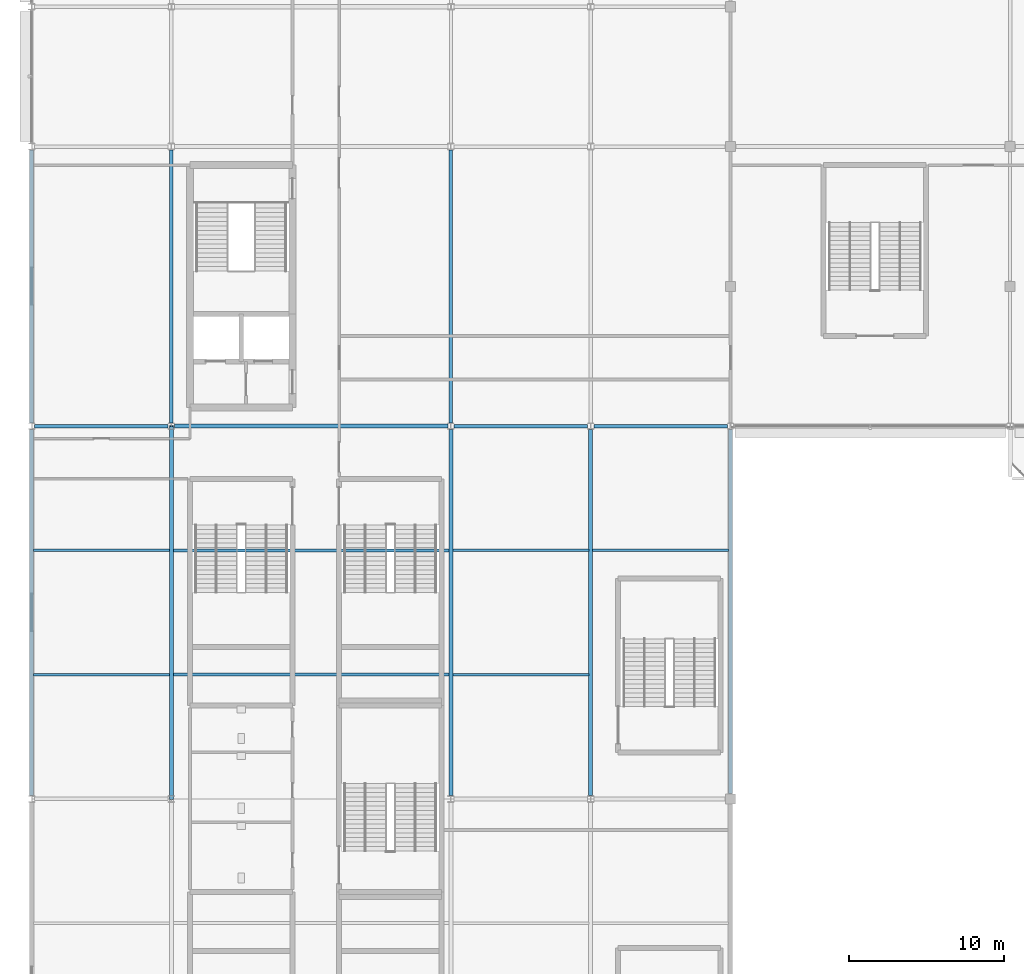
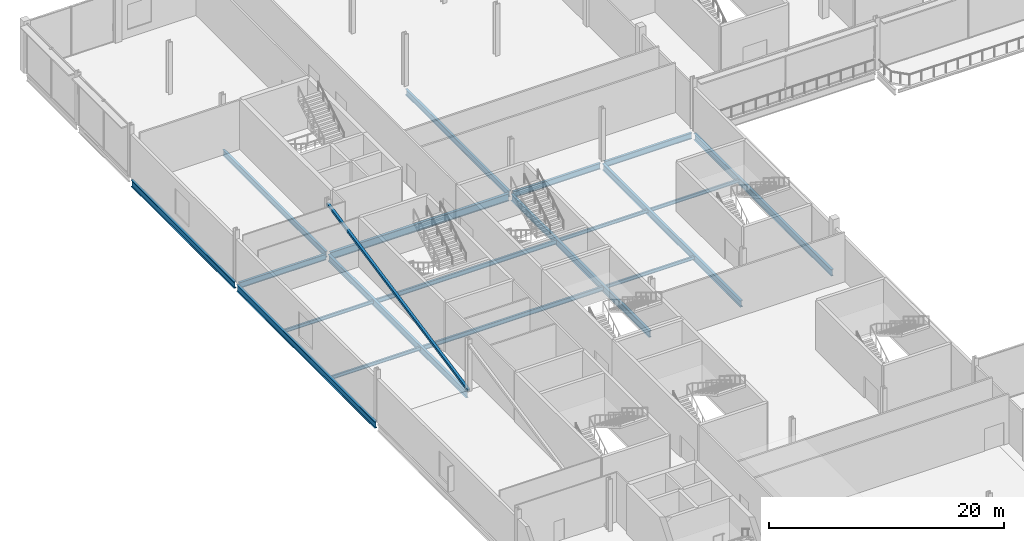
# One storey, part 28 of 113: 19 beams, 1 member.
"""IFC4 building model written with IfcOpenShell, lengths in metres."""

import ifcopenshell
import ifcopenshell.guid

model = None  # the IFC model being written
_history = None  # IfcOwnerHistory: only IFC2X3 demands one
_inside = {}  # id of a spatial element -> (the spatial element, [elements in it])
_under = {}  # id of a project, library or spatial element -> (it, [spatial elements below it])
_declared = {}  # id of a project -> (the project, [libraries it declares])
_typed = {}  # id of a type object -> (the type object, [elements of that type])
_made_of = {}  # id of a material, layer set ... -> (it, [elements and type objects made of it])


def new_model(schema):
    """Start an empty IFC model of exactly this schema.

    Asked for "IFC4X3", IfcOpenShell would pick the latest addendum, in which some entities
    have other attributes; the version numbers below select the first issue.
    IFC2X3 requires an IfcOwnerHistory on every rooted entity: one is made here for all.
    """
    global model, _history
    if schema == "IFC4X3":
        model = ifcopenshell.file(schema_version=(4, 3, 0, 0))
    else:
        model = ifcopenshell.file(schema=schema)
    _inside.clear()
    _under.clear()
    _declared.clear()
    _typed.clear()
    _made_of.clear()
    _history = None
    if model.schema == "IFC2X3":
        org = make("IfcOrganization", Name="unknown")
        user = make(
            "IfcPersonAndOrganization",
            ThePerson=make("IfcPerson", FamilyName="unknown"),
            TheOrganization=org,
        )
        app = make(
            "IfcApplication",
            ApplicationDeveloper=org,
            Version="unknown",
            ApplicationFullName="unknown",
            ApplicationIdentifier="unknown",
        )
        _history = make(
            "IfcOwnerHistory",
            OwningUser=user,
            OwningApplication=app,
            ChangeAction="ADDED",
            CreationDate=0,
        )
    return model


def make(cls, **values):
    """One entity of the class cls with the attributes given. An attribute that is None is left unset."""
    return model.create_entity(
        cls, **{name: value for name, value in values.items() if value is not None}
    )


def rooted(cls, **values):
    """An entity with a GlobalId (a new one), such as an element, a storey or a relation."""
    return make(cls, GlobalId=ifcopenshell.guid.new(), OwnerHistory=_history, **values)


def si_unit(unit_type, name, prefix=None):
    """IfcSIUnit, for example si_unit("LENGTHUNIT", "METRE", prefix="MILLI")."""
    return make("IfcSIUnit", UnitType=unit_type, Prefix=prefix, Name=name)


def assignment(units):
    """IfcUnitAssignment: the units of a project."""
    return None if units is None else make("IfcUnitAssignment", Units=units)


def point(xyz):
    """IfcCartesianPoint."""
    return None if xyz is None else make("IfcCartesianPoint", Coordinates=xyz)


def direction(xyz):
    """IfcDirection."""
    return None if xyz is None else make("IfcDirection", DirectionRatios=xyz)


def frame(location, z_axis=None, x_axis=None):
    """IfcAxis2Placement3D, a coordinate frame: its origin and axes. An axis left out is left unset."""
    return make(
        "IfcAxis2Placement3D",
        Location=point(location),
        Axis=direction(z_axis),
        RefDirection=direction(x_axis),
    )


def frame_2d(location, x_axis=None):
    """IfcAxis2Placement2D, a coordinate frame in the plane: its origin and x axis."""
    return make(
        "IfcAxis2Placement2D", Location=point(location), RefDirection=direction(x_axis)
    )


def origin():
    """The frame at (0, 0, 0) with its axes left unset."""
    return frame((0.0, 0.0, 0.0))


def origin_2d():
    """The frame at (0, 0) in the plane with its x axis left unset."""
    return frame_2d((0.0, 0.0))


def place(relative_to, where):
    """IfcLocalPlacement: puts the frame where relative to a parent placement (None: the world)."""
    return make(
        "IfcLocalPlacement", PlacementRelTo=relative_to, RelativePlacement=where
    )


def context(
    kind, dimensions, precision=None, world=None, true_north=None, identifier=None
):
    """IfcGeometricRepresentationContext, for example the 3D "Model" context."""
    return make(
        "IfcGeometricRepresentationContext",
        ContextIdentifier=identifier,
        ContextType=kind,
        CoordinateSpaceDimension=dimensions,
        Precision=precision,
        WorldCoordinateSystem=world,
        TrueNorth=true_north,
    )


def subcontext(parent, identifier, kind, view, scale=None):
    """IfcGeometricRepresentationSubContext, for example "Body" below "Model"."""
    return make(
        "IfcGeometricRepresentationSubContext",
        ContextIdentifier=identifier,
        ContextType=kind,
        ParentContext=parent,
        TargetScale=scale,
        TargetView=view,
    )


def project(units=None, contexts=None):
    """IfcProject with its units and contexts."""
    return rooted(
        "IfcProject",
        Name="project",
        RepresentationContexts=contexts,
        UnitsInContext=assignment(units),
    )


def spatial(cls, under=None, at=None, **own):
    """A site, building, storey or space (cls), placed at a placement, below another one or the project."""
    s = rooted(cls, ObjectPlacement=at, **own)
    if under is not None:
        _under.setdefault(under.id(), (under, []))[1].append(s)
    return s


def profile(cls, at=None, kind="AREA", **sizes):
    """A parametric profile (cls). Its sizes go by their IFC names, for example OverallWidth=200.0."""
    return make(cls, ProfileType=kind, Position=at, **sizes)


def hollow_rectangle(**sizes):
    """IfcRectangleHollowProfileDef."""
    return profile("IfcRectangleHollowProfileDef", **sizes)


def i_section(**sizes):
    """IfcIShapeProfileDef."""
    return profile("IfcIShapeProfileDef", **sizes)


def extrude(swept, where, along, depth):
    """IfcExtrudedAreaSolid: the profile swept, set in the frame where, extruded along a direction by depth."""
    return make(
        "IfcExtrudedAreaSolid",
        SweptArea=swept,
        Position=where,
        ExtrudedDirection=direction(along),
        Depth=depth,
    )


def shape(context_of_items, identifier, shape_type, items):
    """IfcShapeRepresentation: the items that make up one representation, for example the "Body"."""
    return make(
        "IfcShapeRepresentation",
        ContextOfItems=context_of_items,
        RepresentationIdentifier=identifier,
        RepresentationType=shape_type,
        Items=items,
    )


def material(Name=None, Category=None):
    """IfcMaterial."""
    return make("IfcMaterial", Name=Name, Category=Category)


def material_profile(
    of_material, cross_section, Name=None, Category=None, Priority=None
):
    """IfcMaterialProfile: a cross section and its material."""
    return make(
        "IfcMaterialProfile",
        Name=Name,
        Material=of_material,
        Profile=cross_section,
        Priority=Priority,
        Category=Category,
    )


def profile_set(profiles, Name=None, composite=None):
    """IfcMaterialProfileSet."""
    return make(
        "IfcMaterialProfileSet",
        Name=Name,
        MaterialProfiles=profiles,
        CompositeProfile=composite,
    )


def made_of(thing, what):
    """Note that an element or type object is made of a material, layer set ...; save() writes the relation."""
    if what is not None:
        _made_of.setdefault(what.id(), (what, []))[1].append(thing)
    return thing


def type_object(cls, material=None, **own):
    """A type object (cls), such as IfcWallType, which elements share."""
    return made_of(rooted(cls, **own), material)


def element(
    cls,
    number,
    at=None,
    inside=None,
    cuts=None,
    type_object=None,
    material=None,
    context=None,
    identifier="Body",
    shape_type=None,
    held_by="IfcProductDefinitionShape",
    body=None,
    shapes=None,
    **own,
):
    """One element of the class cls, such as IfcWall. Its Tag is "e" and its number.

    at: its placement. inside: the storey or other place that contains it. cuts: it is an
    opening in that element (IfcRelVoidsElement). A single representation is given by context,
    identifier, shape_type and body (its items); several are given by shapes. held_by: the class
    of the entity that holds the representations. save() writes the other relations.
    """
    e = rooted(cls, Tag="e%d" % number, ObjectPlacement=at, **own)
    if body is not None:
        shapes = [shape(context, identifier, shape_type, body)]
    if shapes is not None:
        e.Representation = make(held_by, Representations=shapes)
    if inside is not None:
        _inside.setdefault(inside.id(), (inside, []))[1].append(e)
    if cuts is not None:
        rooted(
            "IfcRelVoidsElement", RelatingBuildingElement=cuts, RelatedOpeningElement=e
        )
    if type_object is not None:
        _typed.setdefault(type_object.id(), (type_object, []))[1].append(e)
    return made_of(e, material)


def aggregate(whole, parts):
    """IfcRelAggregates: a whole, such as a stair, and the parts it consists of."""
    return rooted("IfcRelAggregates", RelatingObject=whole, RelatedObjects=parts)


def save(model, path):
    """Write the relations noted so far, then the file.

    IfcRelAggregates (storeys below a building ...), IfcRelContainedInSpatialStructure (elements
    in a storey), IfcRelDefinesByType, IfcRelAssociatesMaterial and IfcRelDeclares: one each for
    every whole, place, type object, material and project.
    """
    for whole, parts in _under.values():
        aggregate(whole, parts)
    for where, things in _inside.values():
        rooted(
            "IfcRelContainedInSpatialStructure",
            RelatedElements=things,
            RelatingStructure=where,
        )
    for kind, things in _typed.values():
        rooted("IfcRelDefinesByType", RelatedObjects=things, RelatingType=kind)
    for what, things in _made_of.values():
        rooted("IfcRelAssociatesMaterial", RelatedObjects=things, RelatingMaterial=what)
    for by, libraries in _declared.values():
        rooted("IfcRelDeclares", RelatingContext=by, RelatedDefinitions=libraries)
    model.write(path)


model = new_model("IFC4")

# Units and contexts
model_context = context("Model", 3, precision=1e-05, world=origin(), true_north=direction((0.0, 1.0)))
body_context = subcontext(model_context, "Body", "Model", "MODEL_VIEW")
ifc_project = project(units=[si_unit("LENGTHUNIT", "METRE"), si_unit("AREAUNIT", "SQUARE_METRE"), si_unit("VOLUMEUNIT", "CUBIC_METRE"), si_unit("PLANEANGLEUNIT", "RADIAN"), si_unit("MASSUNIT", "GRAM", prefix="KILO")], contexts=[model_context])

# Site, building, storey
site_placement = place(None, origin())
site = spatial("IfcSite", under=ifc_project, at=site_placement, CompositionType="ELEMENT")
building_placement = place(site_placement, origin())
building = spatial("IfcBuilding", under=site, at=building_placement, Name="Kisiwana Market Hall", CompositionType="ELEMENT")
storey_placement = place(building_placement, frame((0.0, 0.0, 6.0)))
storey = spatial("IfcBuildingStorey", under=building, at=storey_placement, Name="L01", CompositionType="ELEMENT", Elevation=6.0)

# Beams
ifc_material_1 = material(Name="Steel S355", Category="steel")
ifc_material_profile_1 = material_profile(ifc_material_1, i_section(OverallWidth=0.22900390625, OverallDepth=0.6123046875, WebThickness=0.011962890625, FlangeThickness=0.01953125, at=origin_2d()), Name="UB 610x229x125")
ifc_profile_set_1 = profile_set([ifc_material_profile_1], Name="Steel S355")
beam_type_1 = type_object("IfcBeamType", Name="BM-GIRD-UB610H", PredefinedType="BEAM", material=ifc_profile_set_1)
for number, where, z_axis, x_axis, name in (
    (1, (0.201904296875, 84.0, -0.55615234375), (1.0, 0.0, 0.0), (0.0, 1.0, 0.0), "Floor beam B-0503"),
    (2, (27.201904296875, 84.0, -0.55615234375), (1.0, 0.0, 0.0), (0.0, 1.0, 0.0), "Floor beam B-0505"),
    (3, (36.201904296875, 84.0, -0.55615234375), (1.0, 0.0, 0.0), (0.0, 1.0, 0.0), "Floor beam B-0506"),
):
    element("IfcBeam", number, at=place(storey_placement, frame(where, z_axis=z_axis, x_axis=x_axis)), inside=storey, type_object=beam_type_1, Name=name, PredefinedType="BEAM", context=body_context, shape_type="SweptSolid", body=[
        extrude(i_section(OverallWidth=0.22900390625, OverallDepth=0.6123046875, WebThickness=0.011962890625, FlangeThickness=0.01953125, at=origin_2d()), origin(), (0.0, 0.0, 1.0), 8.59619140625),
    ])
for number, where, z_axis, x_axis, name in (
    (4, (9.0, 84.21337890625, -0.55615234375), (0.0, 1.0, 0.0), (-1.0, 0.0, 0.0), "Primary girder B-0336"),
    (5, (27.0, 84.21337890625, -0.55615234375), (0.0, 1.0, 0.0), (-1.0, 0.0, 0.0), "Primary girder B-0342"),
):
    element("IfcBeam", number, at=place(storey_placement, frame(where, z_axis=z_axis, x_axis=x_axis)), inside=storey, type_object=beam_type_1, Name=name, PredefinedType="BEAM", context=body_context, shape_type="SweptSolid", body=[
        extrude(i_section(OverallWidth=0.22900390625, OverallDepth=0.6123046875, WebThickness=0.011962890625, FlangeThickness=0.01953125, at=origin_2d()), origin(), (0.0, 0.0, 1.0), 17.5732421875),
    ])
ifc_material_2 = material(Name="Steel S355", Category="steel")
ifc_material_profile_2 = material_profile(ifc_material_2, i_section(OverallWidth=0.253662109375, OverallDepth=0.68359375, WebThickness=0.012451171875, FlangeThickness=0.01904296875, at=origin_2d()), Name="UB 686x254x140")
ifc_profile_set_2 = profile_set([ifc_material_profile_2], Name="Steel S355")
beam_type_2 = type_object("IfcBeamType", Name="BM-GIRD-UB686", PredefinedType="BEAM", material=ifc_profile_set_2)
beam_1_placement = place(storey_placement, frame((0.0, 60.21337890625, -0.591796875), z_axis=(0.0, 1.0, 0.0), x_axis=(-1.0, 0.0, 0.0)))
element("IfcBeam", 6, at=beam_1_placement, inside=storey, type_object=beam_type_2, Name="Floor beam B-0559", PredefinedType="BEAM", context=body_context, shape_type="SweptSolid", body=[
    extrude(i_section(OverallWidth=0.253662109375, OverallDepth=0.68359375, WebThickness=0.012451171875, FlangeThickness=0.01904296875, at=origin_2d()), origin(), (0.0, 0.0, 1.0), 23.5732421875),
])
beam_2_placement = place(storey_placement, frame((0.0, 84.21337890625, -0.591796875), z_axis=(0.0, 1.0, 0.0), x_axis=(-1.0, 0.0, 0.0)))
element("IfcBeam", 7, at=beam_2_placement, inside=storey, type_object=beam_type_2, Name="Floor beam B-0560", PredefinedType="BEAM", context=body_context, shape_type="SweptSolid", body=[
    extrude(i_section(OverallWidth=0.253662109375, OverallDepth=0.68359375, WebThickness=0.012451171875, FlangeThickness=0.01904296875, at=origin_2d()), origin(), (0.0, 0.0, 1.0), 17.5732421875),
])
beam_3_placement = place(storey_placement, frame((27.0, 60.21337890625, -0.591796875), z_axis=(0.0, 1.0, 0.0), x_axis=(-1.0, 0.0, 0.0)))
element("IfcBeam", 8, at=beam_3_placement, inside=storey, type_object=beam_type_2, Name="Floor beam B-0564", PredefinedType="BEAM", context=body_context, shape_type="SweptSolid", body=[
    extrude(i_section(OverallWidth=0.253662109375, OverallDepth=0.68359375, WebThickness=0.012451171875, FlangeThickness=0.01904296875, at=origin_2d()), origin(), (0.0, 0.0, 1.0), 23.5732421875),
])
beam_4_placement = place(storey_placement, frame((45.0, 60.345947265625, -0.591796875), z_axis=(0.0, 1.0, 0.0), x_axis=(-1.0, 0.0, 0.0)))
element("IfcBeam", 9, at=beam_4_placement, inside=storey, type_object=beam_type_2, Name="Floor beam B-0566", PredefinedType="BEAM", context=body_context, shape_type="SweptSolid", body=[
    extrude(i_section(OverallWidth=0.253662109375, OverallDepth=0.68359375, WebThickness=0.012451171875, FlangeThickness=0.01904296875, at=origin_2d()), origin(), (0.0, 0.0, 1.0), 23.440673828125),
])
for number, where, z_axis, x_axis, name in (
    (10, (9.0, 60.21337890625, -0.591796875), (0.0, 1.0, 0.0), (-1.0, 0.0, 0.0), "Primary girder B-0335"),
    (11, (36.0, 60.21337890625, -0.591796875), (0.0, 1.0, 0.0), (-1.0, 0.0, 0.0), "Primary girder B-0349"),
):
    element("IfcBeam", number, at=place(storey_placement, frame(where, z_axis=z_axis, x_axis=x_axis)), inside=storey, type_object=beam_type_2, Name=name, PredefinedType="BEAM", context=body_context, shape_type="SweptSolid", body=[
        extrude(i_section(OverallWidth=0.253662109375, OverallDepth=0.68359375, WebThickness=0.012451171875, FlangeThickness=0.01904296875, at=origin_2d()), origin(), (0.0, 0.0, 1.0), 23.5732421875),
    ])
ifc_material_3 = material(Name="Steel S355", Category="steel")
ifc_material_profile_3 = material_profile(ifc_material_3, i_section(OverallWidth=0.2666015625, OverallDepth=0.76220703125, WebThickness=0.014404296875, FlangeThickness=0.021484375, at=origin_2d()), Name="UB 762x267x173")
ifc_profile_set_3 = profile_set([ifc_material_profile_3], Name="Steel S355")
beam_type_3 = type_object("IfcBeamType", Name="BM-GIRD-UB762", PredefinedType="BEAM", material=ifc_profile_set_3)
beam_5_placement = place(storey_placement, frame((9.201904296875, 84.0, -0.631103515625), z_axis=(1.0, 0.0, 0.0), x_axis=(0.0, 1.0, 0.0)))
element("IfcBeam", 12, at=beam_5_placement, inside=storey, type_object=beam_type_3, Name="Floor beam B-0504", PredefinedType="BEAM", context=body_context, shape_type="SweptSolid", body=[
    extrude(i_section(OverallWidth=0.2666015625, OverallDepth=0.76220703125, WebThickness=0.014404296875, FlangeThickness=0.021484375, at=origin_2d()), origin(), (0.0, 0.0, 1.0), 17.59619140625),
])
ifc_material_4 = material(Name="Steel S355", Category="steel")
ifc_material_profile_4 = material_profile(ifc_material_4, i_section(OverallWidth=0.17138671875, OverallDepth=0.35498046875, WebThickness=0.00732421875, FlangeThickness=0.011474609375, at=origin_2d()), Name="UB 356x171x51")
ifc_profile_set_4 = profile_set([ifc_material_profile_4], Name="Steel S355")
beam_type_4 = type_object("IfcBeamType", Name="BM-JOIST-UB356", PredefinedType="JOIST", material=ifc_profile_set_4)
for number, where, z_axis, x_axis, name in (
    (13, (0.125732421875, 68.0, -0.427490234375), (1.0, 0.0, 0.0), (0.0, 1.0, 0.0), "Secondary floor joist B-0435"),
    (14, (27.125732421875, 68.0, -0.427490234375), (1.0, 0.0, 0.0), (0.0, 1.0, 0.0), "Secondary floor joist B-0437"),
    (15, (0.125732421875, 76.0, -0.427490234375), (1.0, 0.0, 0.0), (0.0, 1.0, 0.0), "Secondary floor joist B-0441"),
    (16, (27.125732421875, 76.0, -0.427490234375), (1.0, 0.0, 0.0), (0.0, 1.0, 0.0), "Secondary floor joist B-0443"),
    (17, (36.125732421875, 76.0, -0.427490234375), (1.0, 0.0, 0.0), (0.0, 1.0, 0.0), "Secondary floor joist B-0444"),
):
    element("IfcBeam", number, at=place(storey_placement, frame(where, z_axis=z_axis, x_axis=x_axis)), inside=storey, type_object=beam_type_4, Name=name, PredefinedType="JOIST", context=body_context, shape_type="SweptSolid", body=[
        extrude(i_section(OverallWidth=0.17138671875, OverallDepth=0.35498046875, WebThickness=0.00732421875, FlangeThickness=0.011474609375, at=origin_2d()), origin(), (0.0, 0.0, 1.0), 8.74853515625),
    ])
ifc_material_5 = material(Name="Steel S355", Category="steel")
ifc_material_profile_5 = material_profile(ifc_material_5, i_section(OverallWidth=0.18994140625, OverallDepth=0.453369140625, WebThickness=0.008544921875, FlangeThickness=0.0126953125, at=origin_2d()), Name="UB 457x191x67")
ifc_profile_set_5 = profile_set([ifc_material_profile_5], Name="Steel S355")
beam_type_5 = type_object("IfcBeamType", Name="BM-JOIST-UB457", PredefinedType="JOIST", material=ifc_profile_set_5)
for number, where, z_axis, x_axis, name in (
    (18, (9.125732421875, 68.0, -0.476806640625), (1.0, 0.0, 0.0), (0.0, 1.0, 0.0), "Secondary floor joist B-0436"),
    (19, (9.125732421875, 76.0, -0.476806640625), (1.0, 0.0, 0.0), (0.0, 1.0, 0.0), "Secondary floor joist B-0442"),
):
    element("IfcBeam", number, at=place(storey_placement, frame(where, z_axis=z_axis, x_axis=x_axis)), inside=storey, type_object=beam_type_5, Name=name, PredefinedType="JOIST", context=body_context, shape_type="SweptSolid", body=[
        extrude(i_section(OverallWidth=0.18994140625, OverallDepth=0.453369140625, WebThickness=0.008544921875, FlangeThickness=0.0126953125, at=origin_2d()), origin(), (0.0, 0.0, 1.0), 17.74853515625),
    ])

# Member
ifc_material_6 = material(Name="Steel S355", Category="steel")
ifc_material_profile_6 = material_profile(ifc_material_6, hollow_rectangle(XDim=0.25, YDim=0.25, WallThickness=0.012451171875, at=origin_2d()), Name="SHS 250x250x12.5")
ifc_profile_set_6 = profile_set([ifc_material_profile_6], Name="Steel S355")
member_type = type_object("IfcMemberType", Name="MB-CBF-SHS250", PredefinedType="BRACE", material=ifc_profile_set_6)
member_placement = place(storey_placement, frame((9.0, 60.0, 0.0), z_axis=(0.0, 0.980185232723, 0.198083087497), x_axis=(-1.0, 0.0, 0.0)))
element("IfcMember", 20, at=member_placement, inside=storey, type_object=member_type, Name="CBF-W-S diagonal brace (L01) M-0013", PredefinedType="BRACE", context=body_context, shape_type="SweptSolid", body=[
    extrude(hollow_rectangle(XDim=0.25, YDim=0.25, WallThickness=0.012451171875, at=origin_2d()), origin(), (0.0, 0.0, 1.0), 24.485107421875),
])

save(model, "model.ifc")
